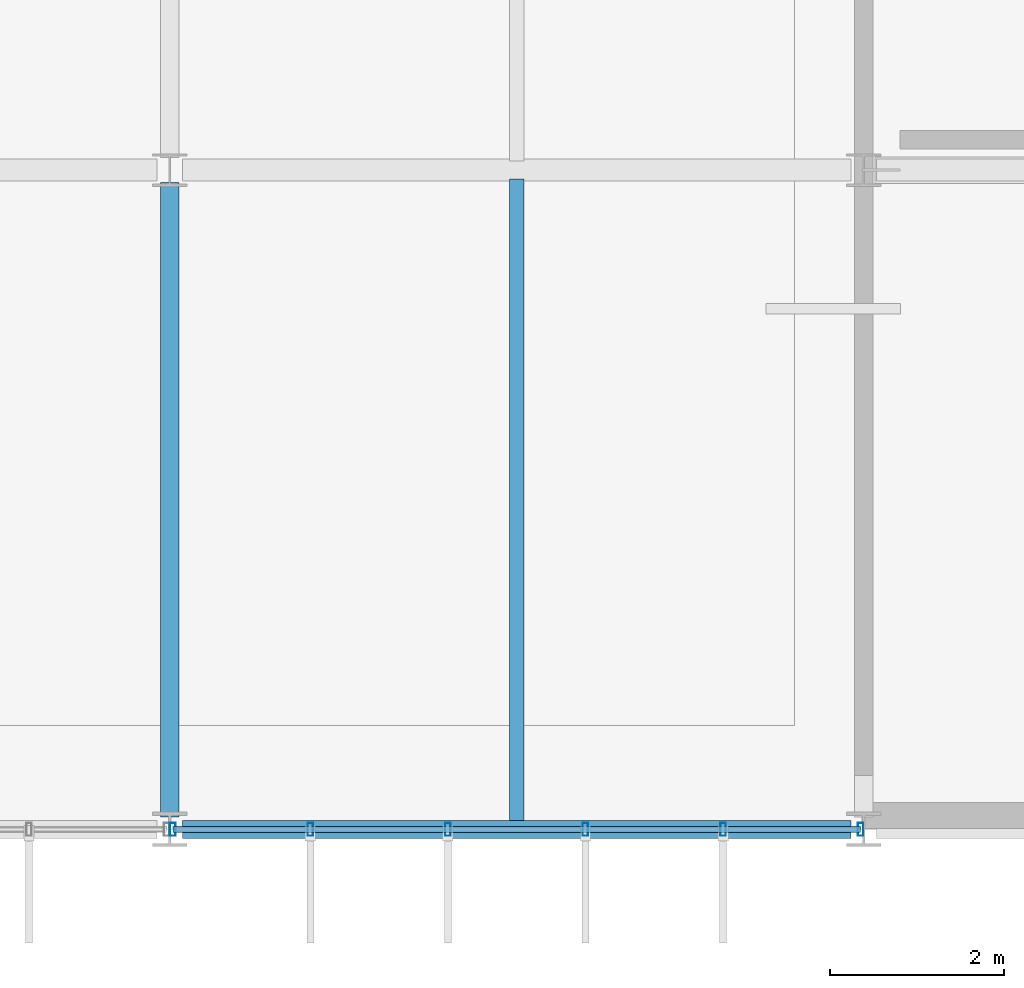
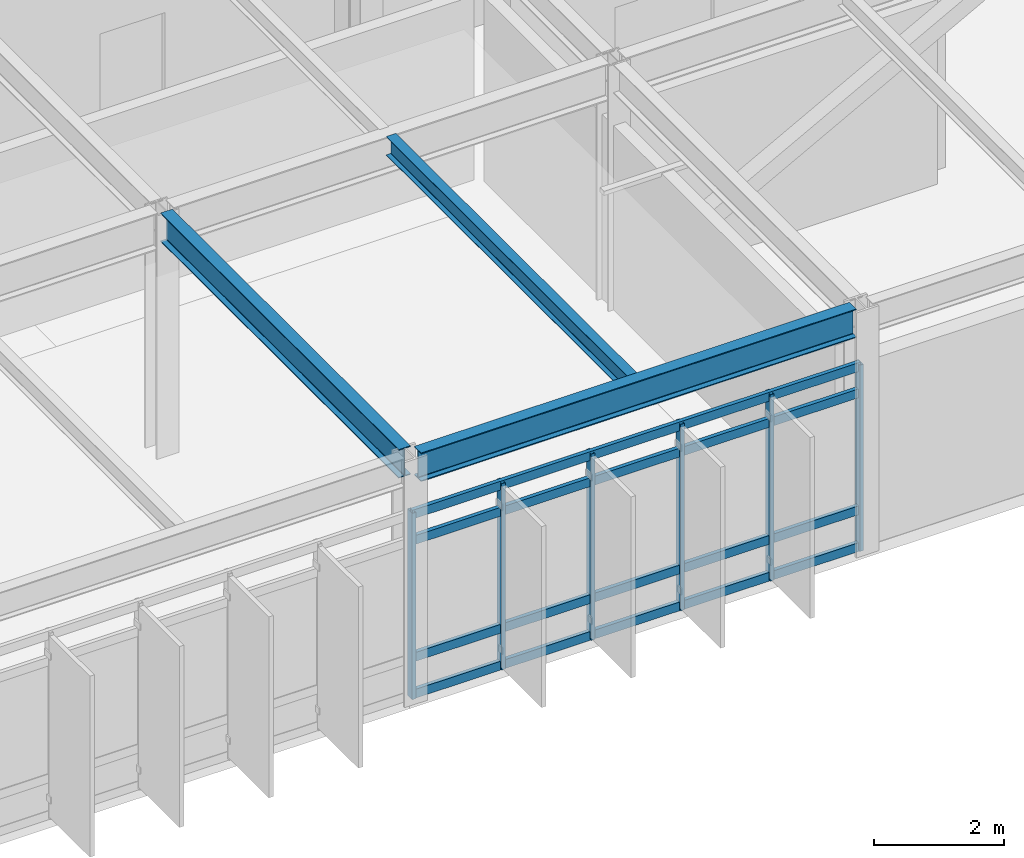
# One storey, part 27 of 104: 10 members, 3 beams, 1 element without a shape of its own.
"""IFC4 building model written with IfcOpenShell, lengths in metres."""

from ifc_helpers import new_model, si_unit, direction, frame, origin, origin_2d, place, context, subcontext, project, spatial, hollow_rectangle, i_section, extrude, material, material_profile, profile_set, type_object, element, aggregate, save


model = new_model("IFC4")

# Units and contexts
model_context = context("Model", 3, precision=1e-05, world=origin(), true_north=direction((0.0, 1.0)))
body_context = subcontext(model_context, "Body", "Model", "MODEL_VIEW")
ifc_project = project(units=[si_unit("LENGTHUNIT", "METRE"), si_unit("AREAUNIT", "SQUARE_METRE"), si_unit("VOLUMEUNIT", "CUBIC_METRE"), si_unit("PLANEANGLEUNIT", "RADIAN"), si_unit("MASSUNIT", "GRAM", prefix="KILO")], contexts=[model_context])

# Site, building, storey
site_placement = place(None, origin())
site = spatial("IfcSite", under=ifc_project, at=site_placement, CompositionType="ELEMENT")
building_placement = place(site_placement, origin())
building = spatial("IfcBuilding", under=site, at=building_placement, Name="Zulena Civic Courthouse", CompositionType="ELEMENT")
storey_placement = place(building_placement, frame((0.0, 0.0, 15.60009765625)))
storey = spatial("IfcBuildingStorey", under=building, at=storey_placement, Name="L03", CompositionType="ELEMENT", Elevation=15.60009765625)

# Curtain wall, members
ifc_material_1 = material(Name="Double-silver low-E laminated solar-control glass", Category="glass")
curtain_wall_type = type_object("IfcCurtainWallType", Name="CW_7928x3490", PredefinedType="USERDEFINED", material=ifc_material_1)
curtain_wall_placement = place(storey_placement, origin())
curtain_wall = element("IfcCurtainWall", 1, at=curtain_wall_placement, inside=storey, type_object=curtain_wall_type, Name="cw:V2:L03:3:3", ObjectType="UNITISED CURTAIN WALL", PredefinedType="USERDEFINED")
ifc_material_2 = material(Name="Bronze anodised thermally broken aluminium AA6063-T6", Category="aluminium")
ifc_material_profile_1 = material_profile(ifc_material_2, hollow_rectangle(XDim=0.06494140625, YDim=0.14990234375, WallThickness=0.00390625, at=origin_2d()), Name="CWM150X65X4")
ifc_profile_set_1 = profile_set([ifc_material_profile_1], Name="Bronze anodised thermally broken aluminium AA6063-T6")
member_type_1 = type_object("IfcMemberType", Name="CWMullion_150x65", PredefinedType="MULLION", material=ifc_profile_set_1)
member_1_placement = place(storey_placement, frame((43.964111328125, 0.0, 0.0), z_axis=(0.0, 0.0, 1.0), x_axis=(1.0, 0.0, 0.0)))
member_1 = element("IfcMember", 2, at=member_1_placement, type_object=member_type_1, Name="cw:V2:L03:3:3:mull:0", PredefinedType="MULLION", context=body_context, shape_type="SweptSolid", body=[
    extrude(hollow_rectangle(XDim=0.06494140625, YDim=0.14990234375, WallThickness=0.00390625, at=origin_2d()), origin(), (0.0, 0.0, 1.0), 3.489990234375),
])
member_2_placement = place(storey_placement, frame((42.37841796875, 0.0, 0.0), z_axis=(0.0, 0.0, 1.0), x_axis=(1.0, 0.0, 0.0)))
member_2 = element("IfcMember", 3, at=member_2_placement, type_object=member_type_1, Name="cw:V2:L03:3:3:mull:1", PredefinedType="MULLION", context=body_context, shape_type="SweptSolid", body=[
    extrude(hollow_rectangle(XDim=0.06494140625, YDim=0.14990234375, WallThickness=0.00390625, at=origin_2d()), origin(), (0.0, 0.0, 1.0), 3.489990234375),
])
member_3_placement = place(storey_placement, frame((40.792724609375, 0.0, 0.0), z_axis=(0.0, 0.0, 1.0), x_axis=(1.0, 0.0, 0.0)))
member_3 = element("IfcMember", 4, at=member_3_placement, type_object=member_type_1, Name="cw:V2:L03:3:3:mull:2", PredefinedType="MULLION", context=body_context, shape_type="SweptSolid", body=[
    extrude(hollow_rectangle(XDim=0.06494140625, YDim=0.14990234375, WallThickness=0.00390625, at=origin_2d()), origin(), (0.0, 0.0, 1.0), 3.489990234375),
])
member_4_placement = place(storey_placement, frame((39.207275390625, 0.0, 0.0), z_axis=(0.0, 0.0, 1.0), x_axis=(1.0, 0.0, 0.0)))
member_4 = element("IfcMember", 5, at=member_4_placement, type_object=member_type_1, Name="cw:V2:L03:3:3:mull:3", PredefinedType="MULLION", context=body_context, shape_type="SweptSolid", body=[
    extrude(hollow_rectangle(XDim=0.06494140625, YDim=0.14990234375, WallThickness=0.00390625, at=origin_2d()), origin(), (0.0, 0.0, 1.0), 3.489990234375),
])
member_5_placement = place(storey_placement, frame((37.62158203125, 0.0, 0.0), z_axis=(0.0, 0.0, 1.0), x_axis=(1.0, 0.0, 0.0)))
member_5 = element("IfcMember", 6, at=member_5_placement, type_object=member_type_1, Name="cw:V2:L03:3:3:mull:4", PredefinedType="MULLION", context=body_context, shape_type="SweptSolid", body=[
    extrude(hollow_rectangle(XDim=0.06494140625, YDim=0.14990234375, WallThickness=0.00390625, at=origin_2d()), origin(), (0.0, 0.0, 1.0), 3.489990234375),
])
member_6_placement = place(storey_placement, frame((36.035888671875, 0.0, 0.0), z_axis=(0.0, 0.0, 1.0), x_axis=(1.0, 0.0, 0.0)))
member_6 = element("IfcMember", 7, at=member_6_placement, type_object=member_type_1, Name="cw:V2:L03:3:3:mull:5", PredefinedType="MULLION", context=body_context, shape_type="SweptSolid", body=[
    extrude(hollow_rectangle(XDim=0.06494140625, YDim=0.14990234375, WallThickness=0.00390625, at=origin_2d()), origin(), (0.0, 0.0, 1.0), 3.489990234375),
])
ifc_material_profile_2 = material_profile(ifc_material_2, hollow_rectangle(XDim=0.070068359375, YDim=0.1650390625, WallThickness=0.00390625, at=origin_2d()), Name="CWT165X70X4")
ifc_profile_set_2 = profile_set([ifc_material_profile_2], Name="Bronze anodised thermally broken aluminium AA6063-T6")
member_type_2 = type_object("IfcMemberType", Name="CWTransom_165x70", PredefinedType="USERDEFINED", material=ifc_profile_set_2)
member_7_placement = place(storey_placement, frame((43.964111328125, 0.0, 0.059814453125), z_axis=(-1.0, 0.0, 0.0), x_axis=(0.0, -1.0, 0.0)))
member_7 = element("IfcMember", 8, at=member_7_placement, type_object=member_type_2, Name="cw:V2:L03:3:3:tran:0", ObjectType="TRANSOM", PredefinedType="USERDEFINED", context=body_context, shape_type="SweptSolid", body=[
    extrude(hollow_rectangle(XDim=0.070068359375, YDim=0.1650390625, WallThickness=0.00390625, at=origin_2d()), origin(), (0.0, 0.0, 1.0), 7.92822265625),
])
member_8_placement = place(storey_placement, frame((43.964111328125, 0.0, 0.75), z_axis=(-1.0, 0.0, 0.0), x_axis=(0.0, -1.0, 0.0)))
member_8 = element("IfcMember", 9, at=member_8_placement, type_object=member_type_2, Name="cw:V2:L03:3:3:tran:1", ObjectType="TRANSOM", PredefinedType="USERDEFINED", context=body_context, shape_type="SweptSolid", body=[
    extrude(hollow_rectangle(XDim=0.070068359375, YDim=0.1650390625, WallThickness=0.00390625, at=origin_2d()), origin(), (0.0, 0.0, 1.0), 7.92822265625),
])
member_9_placement = place(storey_placement, frame((43.964111328125, 0.0, 2.93994140625), z_axis=(-1.0, 0.0, 0.0), x_axis=(0.0, -1.0, 0.0)))
member_9 = element("IfcMember", 10, at=member_9_placement, type_object=member_type_2, Name="cw:V2:L03:3:3:tran:2", ObjectType="TRANSOM", PredefinedType="USERDEFINED", context=body_context, shape_type="SweptSolid", body=[
    extrude(hollow_rectangle(XDim=0.070068359375, YDim=0.1650390625, WallThickness=0.00390625, at=origin_2d()), origin(), (0.0, 0.0, 1.0), 7.92822265625),
])
member_10_placement = place(storey_placement, frame((43.964111328125, 0.0, 3.429931640625), z_axis=(-1.0, 0.0, 0.0), x_axis=(0.0, -1.0, 0.0)))
member_10 = element("IfcMember", 11, at=member_10_placement, type_object=member_type_2, Name="cw:V2:L03:3:3:tran:3", ObjectType="TRANSOM", PredefinedType="USERDEFINED", context=body_context, shape_type="SweptSolid", body=[
    extrude(hollow_rectangle(XDim=0.070068359375, YDim=0.1650390625, WallThickness=0.00390625, at=origin_2d()), origin(), (0.0, 0.0, 1.0), 7.92822265625),
])
aggregate(curtain_wall, [member_1, member_2, member_3, member_4, member_5, member_6, member_7, member_8, member_9, member_10])

# Beams
ifc_material_3 = material(Name="Steel ASTM A992 Grade 50", Category="steel")
ifc_material_profile_3 = material_profile(ifc_material_3, i_section(OverallWidth=0.1708984375, OverallDepth=0.35205078125, WebThickness=0.0068359375, FlangeThickness=0.009765625, FilletRadius=0.01025390625, at=origin_2d()), Name="W14X30")
ifc_profile_set_3 = profile_set([ifc_material_profile_3], Name="Steel ASTM A992 Grade 50")
beam_type_1 = type_object("IfcBeamType", Name="Joist_W14X30", PredefinedType="JOIST", material=ifc_profile_set_3)
beam_1_placement = place(storey_placement, frame((40.0, 0.10498046875, 4.413818359375), z_axis=(0.0, 1.0, 0.0), x_axis=(-1.0, 0.0, 0.0)))
element("IfcBeam", 12, at=beam_1_placement, inside=storey, type_object=beam_type_1, Name="joist:V2:L03:40.00:0.0_7.6", PredefinedType="JOIST", context=body_context, shape_type="SweptSolid", body=[
    extrude(i_section(OverallWidth=0.1708984375, OverallDepth=0.35205078125, WebThickness=0.0068359375, FlangeThickness=0.009765625, FilletRadius=0.01025390625, at=origin_2d()), origin(), (0.0, 0.0, 1.0), 7.39013671875),
])
ifc_material_profile_4 = material_profile(ifc_material_3, i_section(OverallWidth=0.2099609375, OverallDepth=0.537109375, WebThickness=0.010986328125, FlangeThickness=0.017333984375, FilletRadius=0.0126953125, at=origin_2d()), Name="W21X68")
ifc_profile_set_4 = profile_set([ifc_material_profile_4], Name="Steel ASTM A992 Grade 50")
beam_type_2 = type_object("IfcBeamType", Name="Spandrel_W21X68", PredefinedType="SPANDREL", material=ifc_profile_set_4)
beam_2_placement = place(storey_placement, frame((36.14501953125, 0.0, 4.3212890625), z_axis=(1.0, 0.0, 0.0), x_axis=(0.0, 1.0, 0.0)))
element("IfcBeam", 13, at=beam_2_placement, inside=storey, type_object=beam_type_2, Name="beam:X:V2:L03:0.0:36.0_44.0", PredefinedType="SPANDREL", context=body_context, shape_type="SweptSolid", body=[
    extrude(i_section(OverallWidth=0.2099609375, OverallDepth=0.537109375, WebThickness=0.010986328125, FlangeThickness=0.017333984375, FilletRadius=0.0126953125, at=origin_2d()), origin(), (0.0, 0.0, 1.0), 7.7099609375),
])
beam_3_placement = place(storey_placement, frame((36.0, 0.14501953125, 4.3212890625), z_axis=(0.0, 1.0, 0.0), x_axis=(-1.0, 0.0, 0.0)))
element("IfcBeam", 14, at=beam_3_placement, inside=storey, type_object=beam_type_2, Name="beam:Y:V2:L03:36.0:0.0_7.6", PredefinedType="SPANDREL", context=body_context, shape_type="SweptSolid", body=[
    extrude(i_section(OverallWidth=0.2099609375, OverallDepth=0.537109375, WebThickness=0.010986328125, FlangeThickness=0.017333984375, FilletRadius=0.0126953125, at=origin_2d()), origin(), (0.0, 0.0, 1.0), 7.31005859375),
])

save(model, "model.ifc")
